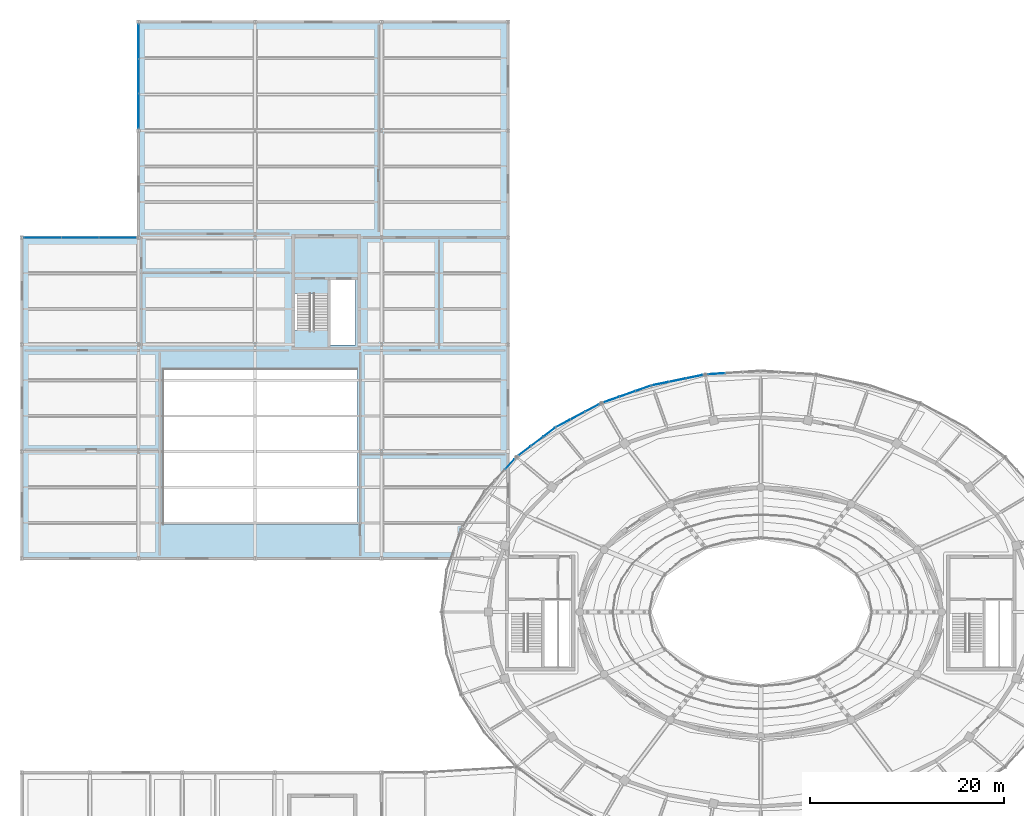
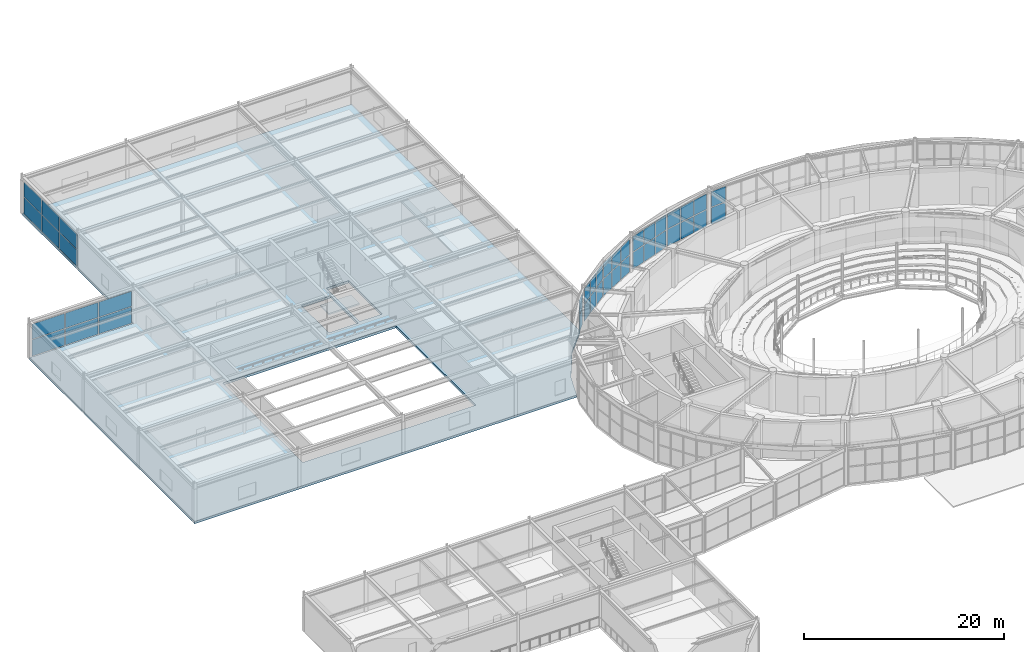
# One storey, part 72 of 100: 40 plates, 2 slabs, 9 elements without a shape of their own.
"""IFC4 building model written with IfcOpenShell, lengths in metres."""

from ifc_helpers import new_model, si_unit, direction, frame, origin, origin_2d, place, context, subcontext, project, spatial, polyline, rectangle, outline, extrude, material, layer, layer_set, type_object, element, aggregate, save


model = new_model("IFC4")

# Units and contexts
model_context = context("Model", 3, precision=1e-05, world=origin(), true_north=direction((0.0, 1.0)))
body_context = subcontext(model_context, "Body", "Model", "MODEL_VIEW")
ifc_project = project(units=[si_unit("LENGTHUNIT", "METRE"), si_unit("AREAUNIT", "SQUARE_METRE"), si_unit("VOLUMEUNIT", "CUBIC_METRE"), si_unit("PLANEANGLEUNIT", "RADIAN"), si_unit("MASSUNIT", "GRAM", prefix="KILO")], contexts=[model_context])

# Site, building, storey
site_placement = place(None, origin())
site = spatial("IfcSite", under=ifc_project, at=site_placement, CompositionType="ELEMENT")
building_placement = place(site_placement, origin())
building = spatial("IfcBuilding", under=site, at=building_placement, Name="Tarnveldt Headland Concert Hall", CompositionType="ELEMENT")
storey_placement = place(building_placement, frame((0.0, 0.0, 4.800048828125)))
storey = spatial("IfcBuildingStorey", under=building, at=storey_placement, Name="L01", CompositionType="ELEMENT", Elevation=4.800048828125)

# Curtain wall, plates
ifc_material_1 = material(Name="Marine-anodised aluminium EN AW-6063-T6", Category="aluminium")
curtain_wall_type_1 = type_object("IfcCurtainWallType", Name="CW-F2", PredefinedType="NOTDEFINED", material=ifc_material_1)
curtain_wall_1_placement = place(storey_placement, origin())
curtain_wall_1 = element("IfcCurtainWall", 1, at=curtain_wall_1_placement, inside=storey, type_object=curtain_wall_type_1, Name="Curtain wall CW-L01-036", PredefinedType="NOTDEFINED")
ifc_material_2 = material(Name="Acoustic laminated low-iron double glazing", Category="glass")
ifc_layer_1 = layer(ifc_material_2, 0.030029296875, Name="Acoustic laminated low-iron double glazing", Category="glass")
ifc_layer_set_1 = layer_set([ifc_layer_1], Name="Acoustic laminated low-iron double glazing")
plate_type_1 = type_object("IfcPlateType", Name="PN-F2", PredefinedType="CURTAIN_PANEL", material=ifc_layer_set_1)
plate_1_placement = place(storey_placement, frame((78.94921875, 78.9990234375, 0.09228515625), z_axis=(0.0, 0.0, 1.0), x_axis=(-0.997818784564, -0.066012674318, 0.0)))
plate_1 = element("IfcPlate", 2, at=plate_1_placement, type_object=plate_type_1, Name="Glazed panel CW-L01-036-3-1", PredefinedType="CURTAIN_PANEL", context=body_context, shape_type="SweptSolid", body=[
    extrude(rectangle(XDim=1.689208984375, YDim=0.030029296875, at=origin_2d()), origin(), (0.0, 0.0, 1.0), 2.0283203125),
])
plate_2_placement = place(storey_placement, frame((78.94921875, 78.9990234375, 2.20556640625), z_axis=(0.0, 0.0, 1.0), x_axis=(-0.997818784564, -0.066012674318, 0.0)))
plate_2 = element("IfcPlate", 3, at=plate_2_placement, type_object=plate_type_1, Name="Glazed panel CW-L01-036-3-2", PredefinedType="CURTAIN_PANEL", context=body_context, shape_type="SweptSolid", body=[
    extrude(rectangle(XDim=1.689208984375, YDim=0.030029296875, at=origin_2d()), origin(), (0.0, 0.0, 1.0), 1.86181640625),
])
aggregate(curtain_wall_1, [plate_1, plate_2])

curtain_wall_2_placement = place(storey_placement, origin())
curtain_wall_2 = element("IfcCurtainWall", 4, at=curtain_wall_2_placement, inside=storey, type_object=curtain_wall_type_1, Name="Curtain wall CW-L01-037", PredefinedType="NOTDEFINED")
plate_3_placement = place(storey_placement, frame((76.691650390625, 78.69775390625, 0.09228515625), z_axis=(0.0, 0.0, 1.0), x_axis=(-0.98008791737, -0.198564030542, 0.0)))
plate_3 = element("IfcPlate", 5, at=plate_3_placement, type_object=plate_type_1, Name="Glazed panel CW-L01-037-1-1", PredefinedType="CURTAIN_PANEL", context=body_context, shape_type="SweptSolid", body=[
    extrude(rectangle(XDim=1.664794921875, YDim=0.030029296875, at=origin_2d()), origin(), (0.0, 0.0, 1.0), 2.0283203125),
])
plate_4_placement = place(storey_placement, frame((76.691650390625, 78.69775390625, 2.20556640625), z_axis=(0.0, 0.0, 1.0), x_axis=(-0.98008791737, -0.198564030542, 0.0)))
plate_4 = element("IfcPlate", 6, at=plate_4_placement, type_object=plate_type_1, Name="Glazed panel CW-L01-037-1-2", PredefinedType="CURTAIN_PANEL", context=body_context, shape_type="SweptSolid", body=[
    extrude(rectangle(XDim=1.664794921875, YDim=0.030029296875, at=origin_2d()), origin(), (0.0, 0.0, 1.0), 1.86181640625),
])
plate_5_placement = place(storey_placement, frame((74.943359375, 78.343505859375, 0.09228515625), z_axis=(0.0, 0.0, 1.0), x_axis=(-0.98008791737, -0.198564030542, 0.0)))
plate_5 = element("IfcPlate", 7, at=plate_5_placement, type_object=plate_type_1, Name="Glazed panel CW-L01-037-2-1", PredefinedType="CURTAIN_PANEL", context=body_context, shape_type="SweptSolid", body=[
    extrude(rectangle(XDim=1.664794921875, YDim=0.030029296875, at=origin_2d()), origin(), (0.0, 0.0, 1.0), 2.0283203125),
])
plate_6_placement = place(storey_placement, frame((74.943359375, 78.343505859375, 2.20556640625), z_axis=(0.0, 0.0, 1.0), x_axis=(-0.98008791737, -0.198564030542, 0.0)))
plate_6 = element("IfcPlate", 8, at=plate_6_placement, type_object=plate_type_1, Name="Glazed panel CW-L01-037-2-2", PredefinedType="CURTAIN_PANEL", context=body_context, shape_type="SweptSolid", body=[
    extrude(rectangle(XDim=1.664794921875, YDim=0.030029296875, at=origin_2d()), origin(), (0.0, 0.0, 1.0), 1.86181640625),
])
plate_7_placement = place(storey_placement, frame((73.195068359375, 77.989501953125, 0.09228515625), z_axis=(0.0, 0.0, 1.0), x_axis=(-0.98008791737, -0.198564030542, 0.0)))
plate_7 = element("IfcPlate", 9, at=plate_7_placement, type_object=plate_type_1, Name="Glazed panel CW-L01-037-3-1", PredefinedType="CURTAIN_PANEL", context=body_context, shape_type="SweptSolid", body=[
    extrude(rectangle(XDim=1.664794921875, YDim=0.030029296875, at=origin_2d()), origin(), (0.0, 0.0, 1.0), 2.0283203125),
])
plate_8_placement = place(storey_placement, frame((73.195068359375, 77.989501953125, 2.20556640625), z_axis=(0.0, 0.0, 1.0), x_axis=(-0.98008791737, -0.198564030542, 0.0)))
plate_8 = element("IfcPlate", 10, at=plate_8_placement, type_object=plate_type_1, Name="Glazed panel CW-L01-037-3-2", PredefinedType="CURTAIN_PANEL", context=body_context, shape_type="SweptSolid", body=[
    extrude(rectangle(XDim=1.664794921875, YDim=0.030029296875, at=origin_2d()), origin(), (0.0, 0.0, 1.0), 1.86181640625),
])
aggregate(curtain_wall_2, [plate_3, plate_4, plate_5, plate_6, plate_7, plate_8])

curtain_wall_3_placement = place(storey_placement, origin())
curtain_wall_3 = element("IfcCurtainWall", 11, at=curtain_wall_3_placement, inside=storey, type_object=curtain_wall_type_1, Name="Curtain wall CW-L01-038", PredefinedType="NOTDEFINED")
plate_9_placement = place(storey_placement, frame((71.4248046875, 77.502197265625, 0.09228515625), z_axis=(0.0, 0.0, 1.0), x_axis=(-0.9430950477, -0.33252327889, 0.0)))
plate_9 = element("IfcPlate", 12, at=plate_9_placement, type_object=plate_type_1, Name="Glazed panel CW-L01-038-1-1", PredefinedType="CURTAIN_PANEL", context=body_context, shape_type="SweptSolid", body=[
    extrude(rectangle(XDim=1.617919921875, YDim=0.030029296875, at=origin_2d()), origin(), (0.0, 0.0, 1.0), 2.0283203125),
])
plate_10_placement = place(storey_placement, frame((71.4248046875, 77.502197265625, 2.20556640625), z_axis=(0.0, 0.0, 1.0), x_axis=(-0.9430950477, -0.33252327889, 0.0)))
plate_10 = element("IfcPlate", 13, at=plate_10_placement, type_object=plate_type_1, Name="Glazed panel CW-L01-038-1-2", PredefinedType="CURTAIN_PANEL", context=body_context, shape_type="SweptSolid", body=[
    extrude(rectangle(XDim=1.617919921875, YDim=0.030029296875, at=origin_2d()), origin(), (0.0, 0.0, 1.0), 1.86181640625),
])
plate_11_placement = place(storey_placement, frame((69.78662109375, 76.9248046875, 0.09228515625), z_axis=(0.0, 0.0, 1.0), x_axis=(-0.9430950477, -0.33252327889, 0.0)))
plate_11 = element("IfcPlate", 14, at=plate_11_placement, type_object=plate_type_1, Name="Glazed panel CW-L01-038-2-1", PredefinedType="CURTAIN_PANEL", context=body_context, shape_type="SweptSolid", body=[
    extrude(rectangle(XDim=1.617919921875, YDim=0.030029296875, at=origin_2d()), origin(), (0.0, 0.0, 1.0), 2.0283203125),
])
plate_12_placement = place(storey_placement, frame((69.78662109375, 76.9248046875, 2.20556640625), z_axis=(0.0, 0.0, 1.0), x_axis=(-0.9430950477, -0.33252327889, 0.0)))
plate_12 = element("IfcPlate", 15, at=plate_12_placement, type_object=plate_type_1, Name="Glazed panel CW-L01-038-2-2", PredefinedType="CURTAIN_PANEL", context=body_context, shape_type="SweptSolid", body=[
    extrude(rectangle(XDim=1.617919921875, YDim=0.030029296875, at=origin_2d()), origin(), (0.0, 0.0, 1.0), 1.86181640625),
])
plate_13_placement = place(storey_placement, frame((68.1484375, 76.34716796875, 0.09228515625), z_axis=(0.0, 0.0, 1.0), x_axis=(-0.9430950477, -0.33252327889, 0.0)))
plate_13 = element("IfcPlate", 16, at=plate_13_placement, type_object=plate_type_1, Name="Glazed panel CW-L01-038-3-1", PredefinedType="CURTAIN_PANEL", context=body_context, shape_type="SweptSolid", body=[
    extrude(rectangle(XDim=1.617919921875, YDim=0.030029296875, at=origin_2d()), origin(), (0.0, 0.0, 1.0), 2.0283203125),
])
plate_14_placement = place(storey_placement, frame((68.1484375, 76.34716796875, 2.20556640625), z_axis=(0.0, 0.0, 1.0), x_axis=(-0.9430950477, -0.33252327889, 0.0)))
plate_14 = element("IfcPlate", 17, at=plate_14_placement, type_object=plate_type_1, Name="Glazed panel CW-L01-038-3-2", PredefinedType="CURTAIN_PANEL", context=body_context, shape_type="SweptSolid", body=[
    extrude(rectangle(XDim=1.617919921875, YDim=0.030029296875, at=origin_2d()), origin(), (0.0, 0.0, 1.0), 1.86181640625),
])
aggregate(curtain_wall_3, [plate_9, plate_10, plate_11, plate_12, plate_13, plate_14])

curtain_wall_4_placement = place(storey_placement, origin())
curtain_wall_4 = element("IfcCurtainWall", 18, at=curtain_wall_4_placement, inside=storey, type_object=curtain_wall_type_1, Name="Curtain wall CW-L01-039", PredefinedType="NOTDEFINED")
plate_15_placement = place(storey_placement, frame((66.146240234375, 75.472412109375, 0.09228515625), z_axis=(0.0, 0.0, 1.0), x_axis=(-0.883781963382, -0.467898964735, 0.0)))
plate_15 = element("IfcPlate", 19, at=plate_15_placement, type_object=plate_type_1, Name="Glazed panel CW-L01-039-1-1", PredefinedType="CURTAIN_PANEL", context=body_context, shape_type="SweptSolid", body=[
    extrude(rectangle(XDim=1.552978515625, YDim=0.030029296875, at=origin_2d()), origin(), (0.0, 0.0, 1.0), 2.0283203125),
])
plate_16_placement = place(storey_placement, frame((66.146240234375, 75.472412109375, 2.20556640625), z_axis=(0.0, 0.0, 1.0), x_axis=(-0.883781963382, -0.467898964735, 0.0)))
plate_16 = element("IfcPlate", 20, at=plate_16_placement, type_object=plate_type_1, Name="Glazed panel CW-L01-039-1-2", PredefinedType="CURTAIN_PANEL", context=body_context, shape_type="SweptSolid", body=[
    extrude(rectangle(XDim=1.552978515625, YDim=0.030029296875, at=origin_2d()), origin(), (0.0, 0.0, 1.0), 1.86181640625),
])
plate_17_placement = place(storey_placement, frame((64.66845703125, 74.690185546875, 0.09228515625), z_axis=(0.0, 0.0, 1.0), x_axis=(-0.883781963382, -0.467898964735, 0.0)))
plate_17 = element("IfcPlate", 21, at=plate_17_placement, type_object=plate_type_1, Name="Glazed panel CW-L01-039-2-1", PredefinedType="CURTAIN_PANEL", context=body_context, shape_type="SweptSolid", body=[
    extrude(rectangle(XDim=1.552978515625, YDim=0.030029296875, at=origin_2d()), origin(), (0.0, 0.0, 1.0), 2.0283203125),
])
plate_18_placement = place(storey_placement, frame((64.66845703125, 74.690185546875, 2.20556640625), z_axis=(0.0, 0.0, 1.0), x_axis=(-0.883781963382, -0.467898964735, 0.0)))
plate_18 = element("IfcPlate", 22, at=plate_18_placement, type_object=plate_type_1, Name="Glazed panel CW-L01-039-2-2", PredefinedType="CURTAIN_PANEL", context=body_context, shape_type="SweptSolid", body=[
    extrude(rectangle(XDim=1.552978515625, YDim=0.030029296875, at=origin_2d()), origin(), (0.0, 0.0, 1.0), 1.86181640625),
])
plate_19_placement = place(storey_placement, frame((63.19091796875, 73.90771484375, 0.09228515625), z_axis=(0.0, 0.0, 1.0), x_axis=(-0.883781963382, -0.467898964735, 0.0)))
plate_19 = element("IfcPlate", 23, at=plate_19_placement, type_object=plate_type_1, Name="Glazed panel CW-L01-039-3-1", PredefinedType="CURTAIN_PANEL", context=body_context, shape_type="SweptSolid", body=[
    extrude(rectangle(XDim=1.552978515625, YDim=0.030029296875, at=origin_2d()), origin(), (0.0, 0.0, 1.0), 2.0283203125),
])
plate_20_placement = place(storey_placement, frame((63.19091796875, 73.90771484375, 2.20556640625), z_axis=(0.0, 0.0, 1.0), x_axis=(-0.883781963382, -0.467898964735, 0.0)))
plate_20 = element("IfcPlate", 24, at=plate_20_placement, type_object=plate_type_1, Name="Glazed panel CW-L01-039-3-2", PredefinedType="CURTAIN_PANEL", context=body_context, shape_type="SweptSolid", body=[
    extrude(rectangle(XDim=1.552978515625, YDim=0.030029296875, at=origin_2d()), origin(), (0.0, 0.0, 1.0), 1.86181640625),
])
aggregate(curtain_wall_4, [plate_15, plate_16, plate_17, plate_18, plate_19, plate_20])

curtain_wall_5_placement = place(storey_placement, origin())
curtain_wall_5 = element("IfcCurtainWall", 25, at=curtain_wall_5_placement, inside=storey, type_object=curtain_wall_type_1, Name="Curtain wall CW-L01-040", PredefinedType="NOTDEFINED")
plate_21_placement = place(storey_placement, frame((61.74853515625, 72.992919921875, 0.09228515625), z_axis=(0.0, 0.0, 1.0), x_axis=(-0.797657618631, -0.603110539984, 0.0)))
plate_21 = element("IfcPlate", 26, at=plate_21_placement, type_object=plate_type_1, Name="Glazed panel CW-L01-040-1-1", PredefinedType="CURTAIN_PANEL", context=body_context, shape_type="SweptSolid", body=[
    extrude(rectangle(XDim=1.47607421875, YDim=0.030029296875, at=origin_2d()), origin(), (0.0, 0.0, 1.0), 2.0283203125),
])
plate_22_placement = place(storey_placement, frame((61.74853515625, 72.992919921875, 2.20556640625), z_axis=(0.0, 0.0, 1.0), x_axis=(-0.797657618631, -0.603110539984, 0.0)))
plate_22 = element("IfcPlate", 27, at=plate_22_placement, type_object=plate_type_1, Name="Glazed panel CW-L01-040-1-2", PredefinedType="CURTAIN_PANEL", context=body_context, shape_type="SweptSolid", body=[
    extrude(rectangle(XDim=1.47607421875, YDim=0.030029296875, at=origin_2d()), origin(), (0.0, 0.0, 1.0), 1.86181640625),
])
plate_23_placement = place(storey_placement, frame((60.476318359375, 72.03076171875, 0.09228515625), z_axis=(0.0, 0.0, 1.0), x_axis=(-0.797657618631, -0.603110539984, 0.0)))
plate_23 = element("IfcPlate", 28, at=plate_23_placement, type_object=plate_type_1, Name="Glazed panel CW-L01-040-2-1", PredefinedType="CURTAIN_PANEL", context=body_context, shape_type="SweptSolid", body=[
    extrude(rectangle(XDim=1.47607421875, YDim=0.030029296875, at=origin_2d()), origin(), (0.0, 0.0, 1.0), 2.0283203125),
])
plate_24_placement = place(storey_placement, frame((60.476318359375, 72.03076171875, 2.20556640625), z_axis=(0.0, 0.0, 1.0), x_axis=(-0.797657618631, -0.603110539984, 0.0)))
plate_24 = element("IfcPlate", 29, at=plate_24_placement, type_object=plate_type_1, Name="Glazed panel CW-L01-040-2-2", PredefinedType="CURTAIN_PANEL", context=body_context, shape_type="SweptSolid", body=[
    extrude(rectangle(XDim=1.47607421875, YDim=0.030029296875, at=origin_2d()), origin(), (0.0, 0.0, 1.0), 1.86181640625),
])
plate_25_placement = place(storey_placement, frame((59.203857421875, 71.06884765625, 0.09228515625), z_axis=(0.0, 0.0, 1.0), x_axis=(-0.797657618631, -0.603110539984, 0.0)))
plate_25 = element("IfcPlate", 30, at=plate_25_placement, type_object=plate_type_1, Name="Glazed panel CW-L01-040-3-1", PredefinedType="CURTAIN_PANEL", context=body_context, shape_type="SweptSolid", body=[
    extrude(rectangle(XDim=1.47607421875, YDim=0.030029296875, at=origin_2d()), origin(), (0.0, 0.0, 1.0), 2.0283203125),
])
plate_26_placement = place(storey_placement, frame((59.203857421875, 71.06884765625, 2.20556640625), z_axis=(0.0, 0.0, 1.0), x_axis=(-0.797657618631, -0.603110539984, 0.0)))
plate_26 = element("IfcPlate", 31, at=plate_26_placement, type_object=plate_type_1, Name="Glazed panel CW-L01-040-3-2", PredefinedType="CURTAIN_PANEL", context=body_context, shape_type="SweptSolid", body=[
    extrude(rectangle(XDim=1.47607421875, YDim=0.030029296875, at=origin_2d()), origin(), (0.0, 0.0, 1.0), 1.86181640625),
])
aggregate(curtain_wall_5, [plate_21, plate_22, plate_23, plate_24, plate_25, plate_26])

curtain_wall_6_placement = place(storey_placement, origin())
curtain_wall_6 = element("IfcCurtainWall", 32, at=curtain_wall_6_placement, inside=storey, type_object=curtain_wall_type_1, Name="Curtain wall CW-L01-041", PredefinedType="NOTDEFINED")
plate_27_placement = place(storey_placement, frame((57.694091796875, 69.70703125, 0.09228515625), z_axis=(0.0, 0.0, 1.0), x_axis=(-0.67945411016, -0.733718005903, 0.0)))
plate_27 = element("IfcPlate", 33, at=plate_27_placement, type_object=plate_type_1, Name="Glazed panel CW-L01-041-1-1", PredefinedType="CURTAIN_PANEL", context=body_context, shape_type="SweptSolid", body=[
    extrude(rectangle(XDim=1.3955078125, YDim=0.030029296875, at=origin_2d()), origin(), (0.0, 0.0, 1.0), 1.985595703125),
])
plate_28_placement = place(storey_placement, frame((57.694091796875, 69.70703125, 2.1630859375), z_axis=(0.0, 0.0, 1.0), x_axis=(-0.67945411016, -0.733718005903, 0.0)))
plate_28 = element("IfcPlate", 34, at=plate_28_placement, type_object=plate_type_1, Name="Glazed panel CW-L01-041-1-2", PredefinedType="CURTAIN_PANEL", context=body_context, shape_type="SweptSolid", body=[
    extrude(rectangle(XDim=1.3955078125, YDim=0.030029296875, at=origin_2d()), origin(), (0.0, 0.0, 1.0), 1.822509765625),
])
aggregate(curtain_wall_6, [plate_27, plate_28])

curtain_wall_type_2 = type_object("IfcCurtainWallType", Name="CW-R2", PredefinedType="NOTDEFINED", material=ifc_material_1)
curtain_wall_7_placement = place(storey_placement, origin())
curtain_wall_7 = element("IfcCurtainWall", 35, at=curtain_wall_7_placement, inside=storey, type_object=curtain_wall_type_2, Name="Curtain wall CW-L01-179", PredefinedType="NOTDEFINED")
ifc_layer_2 = layer(ifc_material_2, 0.02099609375, Name="Acoustic laminated low-iron double glazing", Category="glass")
ifc_layer_set_2 = layer_set([ifc_layer_2], Name="Acoustic laminated low-iron double glazing")
plate_type_2 = type_object("IfcPlateType", Name="PN-R2", PredefinedType="CURTAIN_PANEL", material=ifc_layer_set_2)
plate_29_placement = place(storey_placement, frame((19.5, 113.186767578125, 0.08984375), z_axis=(0.0, 0.0, 1.0), x_axis=(0.0, -1.0, 0.0)))
plate_29 = element("IfcPlate", 36, at=plate_29_placement, type_object=plate_type_2, Name="Glazed panel CW-L01-179-1-1", PredefinedType="CURTAIN_PANEL", context=body_context, shape_type="SweptSolid", body=[
    extrude(rectangle(XDim=3.482666015625, YDim=0.02099609375, at=origin_2d()), origin(), (0.0, 0.0, 1.0), 1.990478515625),
])
plate_30_placement = place(storey_placement, frame((19.5, 113.186767578125, 2.16064453125), z_axis=(0.0, 0.0, 1.0), x_axis=(0.0, -1.0, 0.0)))
plate_30 = element("IfcPlate", 37, at=plate_30_placement, type_object=plate_type_2, Name="Glazed panel CW-L01-179-1-2", PredefinedType="CURTAIN_PANEL", context=body_context, shape_type="SweptSolid", body=[
    extrude(rectangle(XDim=3.482666015625, YDim=0.02099609375, at=origin_2d()), origin(), (0.0, 0.0, 1.0), 1.827392578125),
])
plate_31_placement = place(storey_placement, frame((19.5, 109.60009765625, 0.08984375), z_axis=(0.0, 0.0, 1.0), x_axis=(0.0, -1.0, 0.0)))
plate_31 = element("IfcPlate", 38, at=plate_31_placement, type_object=plate_type_2, Name="Glazed panel CW-L01-179-2-1", PredefinedType="CURTAIN_PANEL", context=body_context, shape_type="SweptSolid", body=[
    extrude(rectangle(XDim=3.482666015625, YDim=0.02099609375, at=origin_2d()), origin(), (0.0, 0.0, 1.0), 1.990478515625),
])
plate_32_placement = place(storey_placement, frame((19.5, 109.60009765625, 2.16064453125), z_axis=(0.0, 0.0, 1.0), x_axis=(0.0, -1.0, 0.0)))
plate_32 = element("IfcPlate", 39, at=plate_32_placement, type_object=plate_type_2, Name="Glazed panel CW-L01-179-2-2", PredefinedType="CURTAIN_PANEL", context=body_context, shape_type="SweptSolid", body=[
    extrude(rectangle(XDim=3.482666015625, YDim=0.02099609375, at=origin_2d()), origin(), (0.0, 0.0, 1.0), 1.827392578125),
])
plate_33_placement = place(storey_placement, frame((19.5, 106.01318359375, 0.08984375), z_axis=(0.0, 0.0, 1.0), x_axis=(0.0, -1.0, 0.0)))
plate_33 = element("IfcPlate", 40, at=plate_33_placement, type_object=plate_type_2, Name="Glazed panel CW-L01-179-3-1", PredefinedType="CURTAIN_PANEL", context=body_context, shape_type="SweptSolid", body=[
    extrude(rectangle(XDim=3.482666015625, YDim=0.02099609375, at=origin_2d()), origin(), (0.0, 0.0, 1.0), 1.990478515625),
])
plate_34_placement = place(storey_placement, frame((19.5, 106.01318359375, 2.16064453125), z_axis=(0.0, 0.0, 1.0), x_axis=(0.0, -1.0, 0.0)))
plate_34 = element("IfcPlate", 41, at=plate_34_placement, type_object=plate_type_2, Name="Glazed panel CW-L01-179-3-2", PredefinedType="CURTAIN_PANEL", context=body_context, shape_type="SweptSolid", body=[
    extrude(rectangle(XDim=3.482666015625, YDim=0.02099609375, at=origin_2d()), origin(), (0.0, 0.0, 1.0), 1.827392578125),
])
aggregate(curtain_wall_7, [plate_29, plate_30, plate_31, plate_32, plate_33, plate_34])

curtain_wall_8_placement = place(storey_placement, origin())
curtain_wall_8 = element("IfcCurtainWall", 42, at=curtain_wall_8_placement, inside=storey, type_object=curtain_wall_type_2, Name="Curtain wall CW-L01-180", PredefinedType="NOTDEFINED")
plate_35_placement = place(storey_placement, frame((17.353271484375, 93.0, 0.08984375), z_axis=(0.0, 0.0, 1.0), x_axis=(-1.0, 0.0, 0.0)))
plate_35 = element("IfcPlate", 43, at=plate_35_placement, type_object=plate_type_2, Name="Glazed panel CW-L01-180-1-1", PredefinedType="CURTAIN_PANEL", context=body_context, shape_type="SweptSolid", body=[
    extrude(rectangle(XDim=3.749267578125, YDim=0.02099609375, at=origin_2d()), origin(), (0.0, 0.0, 1.0), 1.990478515625),
])
plate_36_placement = place(storey_placement, frame((17.353271484375, 93.0, 2.16064453125), z_axis=(0.0, 0.0, 1.0), x_axis=(-1.0, 0.0, 0.0)))
plate_36 = element("IfcPlate", 44, at=plate_36_placement, type_object=plate_type_2, Name="Glazed panel CW-L01-180-1-2", PredefinedType="CURTAIN_PANEL", context=body_context, shape_type="SweptSolid", body=[
    extrude(rectangle(XDim=3.749267578125, YDim=0.02099609375, at=origin_2d()), origin(), (0.0, 0.0, 1.0), 1.827392578125),
])
plate_37_placement = place(storey_placement, frame((13.5, 93.0, 0.08984375), z_axis=(0.0, 0.0, 1.0), x_axis=(-1.0, 0.0, 0.0)))
plate_37 = element("IfcPlate", 45, at=plate_37_placement, type_object=plate_type_2, Name="Glazed panel CW-L01-180-2-1", PredefinedType="CURTAIN_PANEL", context=body_context, shape_type="SweptSolid", body=[
    extrude(rectangle(XDim=3.749267578125, YDim=0.02099609375, at=origin_2d()), origin(), (0.0, 0.0, 1.0), 1.990478515625),
])
plate_38_placement = place(storey_placement, frame((13.5, 93.0, 2.16064453125), z_axis=(0.0, 0.0, 1.0), x_axis=(-1.0, 0.0, 0.0)))
plate_38 = element("IfcPlate", 46, at=plate_38_placement, type_object=plate_type_2, Name="Glazed panel CW-L01-180-2-2", PredefinedType="CURTAIN_PANEL", context=body_context, shape_type="SweptSolid", body=[
    extrude(rectangle(XDim=3.749267578125, YDim=0.02099609375, at=origin_2d()), origin(), (0.0, 0.0, 1.0), 1.827392578125),
])
plate_39_placement = place(storey_placement, frame((9.646728515625, 93.0, 0.08984375), z_axis=(0.0, 0.0, 1.0), x_axis=(-1.0, 0.0, 0.0)))
plate_39 = element("IfcPlate", 47, at=plate_39_placement, type_object=plate_type_2, Name="Glazed panel CW-L01-180-3-1", PredefinedType="CURTAIN_PANEL", context=body_context, shape_type="SweptSolid", body=[
    extrude(rectangle(XDim=3.749267578125, YDim=0.02099609375, at=origin_2d()), origin(), (0.0, 0.0, 1.0), 1.990478515625),
])
plate_40_placement = place(storey_placement, frame((9.646728515625, 93.0, 2.16064453125), z_axis=(0.0, 0.0, 1.0), x_axis=(-1.0, 0.0, 0.0)))
plate_40 = element("IfcPlate", 48, at=plate_40_placement, type_object=plate_type_2, Name="Glazed panel CW-L01-180-3-2", PredefinedType="CURTAIN_PANEL", context=body_context, shape_type="SweptSolid", body=[
    extrude(rectangle(XDim=3.749267578125, YDim=0.02099609375, at=origin_2d()), origin(), (0.0, 0.0, 1.0), 1.827392578125),
])
aggregate(curtain_wall_8, [plate_35, plate_36, plate_37, plate_38, plate_39, plate_40])

# Slab
ifc_material_3 = material(Name="Concrete C40/50", Category="concrete")
ifc_layer_3 = layer(ifc_material_3, 0.280029296875, Name="Concrete C40/50", Category="concrete")
ifc_layer_set_3 = layer_set([ifc_layer_3], Name="Concrete C40/50")
slab_type_1 = type_object("IfcSlabType", Name="SL-FL280", PredefinedType="FLOOR", material=ifc_layer_set_3)
slab_1_placement = place(storey_placement, frame((0.0, 0.0, -0.280029296875)))
element("IfcSlab", 49, at=slab_1_placement, inside=storey, type_object=slab_type_1, Name="Backstage rehearsal wing floor slab L01", PredefinedType="FLOOR", context=body_context, shape_type="SweptSolid", body=[
    extrude(outline(polyline([(19.5, 115.199951171875), (19.5, 93.0), (7.5, 93.0), (7.5, 60.0), (51.621337890625, 60.0), (52.677978515625, 62.982177734375), (55.094482421875, 66.89990234375), (57.5, 69.49755859375), (57.5, 115.199951171875), (19.5, 115.199951171875)]), holes=[polyline([(22.0, 63.5), (22.0, 79.5), (42.0, 79.5), (42.0, 63.5), (22.0, 63.5)]), polyline([(35.580078125, 87.280029296875), (38.9599609375, 87.280029296875), (38.9599609375, 81.780029296875), (35.580078125, 81.780029296875), (35.580078125, 87.280029296875)]), polyline([(41.840087890625, 88.659912109375), (41.840087890625, 81.9599609375), (39.239990234375, 81.9599609375), (39.239990234375, 88.659912109375), (41.840087890625, 88.659912109375)])]), origin(), (0.0, 0.0, 1.0), 0.280029296875),
])

# Stair, slab
stair_type = type_object("IfcStairType", Name="ST-CORE480", PredefinedType="HALF_TURN_STAIR", material=ifc_material_3)
stair_placement = place(storey_placement, origin())
stair = element("IfcStair", 50, at=stair_placement, inside=storey, type_object=stair_type, Name="Exit stair STR-C6-L01", PredefinedType="HALF_TURN_STAIR")
ifc_layer_4 = layer(ifc_material_3, 0.179931640625, Name="Concrete C40/50", Category="concrete")
ifc_layer_set_4 = layer_set([ifc_layer_4], Name="Concrete C40/50")
slab_type_2 = type_object("IfcSlabType", Name="SL-STLND180", PredefinedType="LANDING", material=ifc_layer_set_4)
slab_2_placement = place(storey_placement, frame((0.0, 0.0, 2.219970703125)))
slab_2 = element("IfcSlab", 51, at=slab_2_placement, type_object=slab_type_2, Name="Stair half-landing STR-C6-L01", PredefinedType="LANDING", context=body_context, shape_type="SweptSolid", body=[
    extrude(outline(polyline([(35.52001953125, 81.719970703125), (39.080078125, 81.719970703125), (39.080078125, 83.43994140625), (35.52001953125, 83.43994140625), (35.52001953125, 81.719970703125)])), origin(), (0.0, 0.0, 1.0), 0.179931640625),
])
aggregate(stair, [slab_2])

save(model, "model.ifc")
